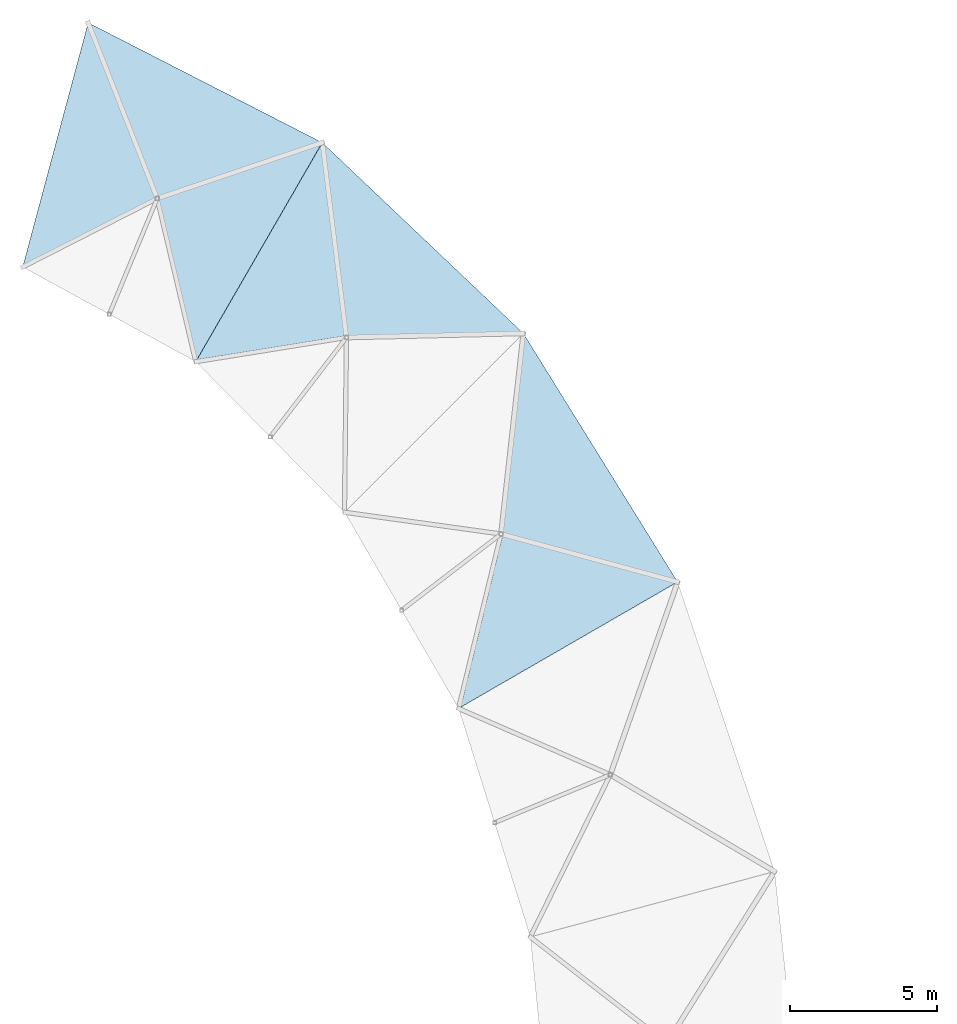
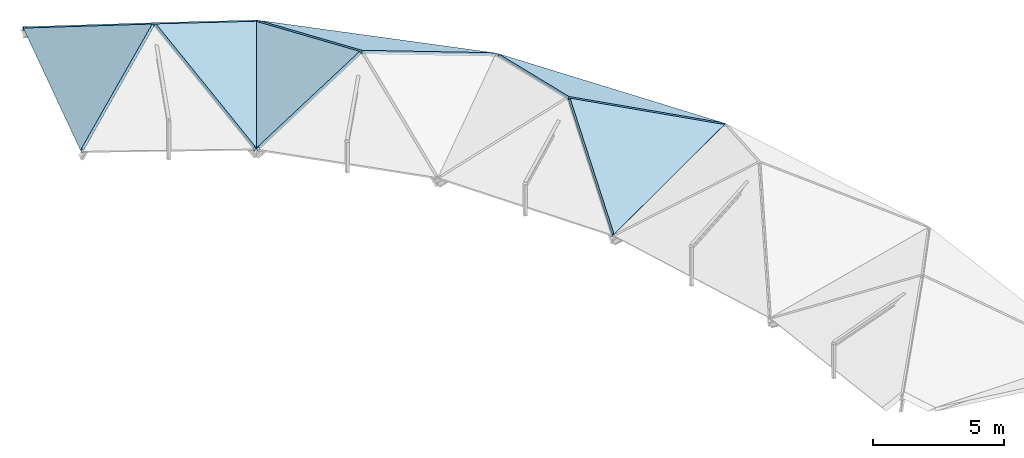
# One storey, part 20 of 28: 7 slabs.
"""IFC4 building model written with IfcOpenShell, lengths in metres."""

import ifcopenshell
import ifcopenshell.guid

model = None  # the IFC model being written
_history = None  # IfcOwnerHistory: only IFC2X3 demands one
_inside = {}  # id of a spatial element -> (the spatial element, [elements in it])
_under = {}  # id of a project, library or spatial element -> (it, [spatial elements below it])
_declared = {}  # id of a project -> (the project, [libraries it declares])
_typed = {}  # id of a type object -> (the type object, [elements of that type])
_made_of = {}  # id of a material, layer set ... -> (it, [elements and type objects made of it])


def new_model(schema):
    """Start an empty IFC model of exactly this schema.

    Asked for "IFC4X3", IfcOpenShell would pick the latest addendum, in which some entities
    have other attributes; the version numbers below select the first issue.
    IFC2X3 requires an IfcOwnerHistory on every rooted entity: one is made here for all.
    """
    global model, _history
    if schema == "IFC4X3":
        model = ifcopenshell.file(schema_version=(4, 3, 0, 0))
    else:
        model = ifcopenshell.file(schema=schema)
    _inside.clear()
    _under.clear()
    _declared.clear()
    _typed.clear()
    _made_of.clear()
    _history = None
    if model.schema == "IFC2X3":
        org = make("IfcOrganization", Name="unknown")
        user = make(
            "IfcPersonAndOrganization",
            ThePerson=make("IfcPerson", FamilyName="unknown"),
            TheOrganization=org,
        )
        app = make(
            "IfcApplication",
            ApplicationDeveloper=org,
            Version="unknown",
            ApplicationFullName="unknown",
            ApplicationIdentifier="unknown",
        )
        _history = make(
            "IfcOwnerHistory",
            OwningUser=user,
            OwningApplication=app,
            ChangeAction="ADDED",
            CreationDate=0,
        )
    return model


def make(cls, **values):
    """One entity of the class cls with the attributes given. An attribute that is None is left unset."""
    return model.create_entity(
        cls, **{name: value for name, value in values.items() if value is not None}
    )


def rooted(cls, **values):
    """An entity with a GlobalId (a new one), such as an element, a storey or a relation."""
    return make(cls, GlobalId=ifcopenshell.guid.new(), OwnerHistory=_history, **values)


def si_unit(unit_type, name, prefix=None):
    """IfcSIUnit, for example si_unit("LENGTHUNIT", "METRE", prefix="MILLI")."""
    return make("IfcSIUnit", UnitType=unit_type, Prefix=prefix, Name=name)


def assignment(units):
    """IfcUnitAssignment: the units of a project."""
    return None if units is None else make("IfcUnitAssignment", Units=units)


def point(xyz):
    """IfcCartesianPoint."""
    return None if xyz is None else make("IfcCartesianPoint", Coordinates=xyz)


def direction(xyz):
    """IfcDirection."""
    return None if xyz is None else make("IfcDirection", DirectionRatios=xyz)


def frame(location, z_axis=None, x_axis=None):
    """IfcAxis2Placement3D, a coordinate frame: its origin and axes. An axis left out is left unset."""
    return make(
        "IfcAxis2Placement3D",
        Location=point(location),
        Axis=direction(z_axis),
        RefDirection=direction(x_axis),
    )


def origin():
    """The frame at (0, 0, 0) with its axes left unset."""
    return frame((0.0, 0.0, 0.0))


def place(relative_to, where):
    """IfcLocalPlacement: puts the frame where relative to a parent placement (None: the world)."""
    return make(
        "IfcLocalPlacement", PlacementRelTo=relative_to, RelativePlacement=where
    )


def context(
    kind, dimensions, precision=None, world=None, true_north=None, identifier=None
):
    """IfcGeometricRepresentationContext, for example the 3D "Model" context."""
    return make(
        "IfcGeometricRepresentationContext",
        ContextIdentifier=identifier,
        ContextType=kind,
        CoordinateSpaceDimension=dimensions,
        Precision=precision,
        WorldCoordinateSystem=world,
        TrueNorth=true_north,
    )


def subcontext(parent, identifier, kind, view, scale=None):
    """IfcGeometricRepresentationSubContext, for example "Body" below "Model"."""
    return make(
        "IfcGeometricRepresentationSubContext",
        ContextIdentifier=identifier,
        ContextType=kind,
        ParentContext=parent,
        TargetScale=scale,
        TargetView=view,
    )


def project(units=None, contexts=None):
    """IfcProject with its units and contexts."""
    return rooted(
        "IfcProject",
        Name="project",
        RepresentationContexts=contexts,
        UnitsInContext=assignment(units),
    )


def spatial(cls, under=None, at=None, **own):
    """A site, building, storey or space (cls), placed at a placement, below another one or the project."""
    s = rooted(cls, ObjectPlacement=at, **own)
    if under is not None:
        _under.setdefault(under.id(), (under, []))[1].append(s)
    return s


def polyline(points):
    """IfcPolyline through the points."""
    return make("IfcPolyline", Points=[point(p) for p in points])


def outline(outer, holes=None, kind="AREA"):
    """IfcArbitraryClosedProfileDef: a profile drawn as a closed curve; with holes, ...WithVoids."""
    if holes is None:
        return make("IfcArbitraryClosedProfileDef", ProfileType=kind, OuterCurve=outer)
    return make(
        "IfcArbitraryProfileDefWithVoids",
        ProfileType=kind,
        OuterCurve=outer,
        InnerCurves=holes,
    )


def extrude(swept, where, along, depth):
    """IfcExtrudedAreaSolid: the profile swept, set in the frame where, extruded along a direction by depth."""
    return make(
        "IfcExtrudedAreaSolid",
        SweptArea=swept,
        Position=where,
        ExtrudedDirection=direction(along),
        Depth=depth,
    )


def shape(context_of_items, identifier, shape_type, items):
    """IfcShapeRepresentation: the items that make up one representation, for example the "Body"."""
    return make(
        "IfcShapeRepresentation",
        ContextOfItems=context_of_items,
        RepresentationIdentifier=identifier,
        RepresentationType=shape_type,
        Items=items,
    )


def material(Name=None, Category=None):
    """IfcMaterial."""
    return make("IfcMaterial", Name=Name, Category=Category)


def layer(
    of_material, thickness, ventilated=None, Name=None, Category=None, Priority=None
):
    """IfcMaterialLayer: one layer of a wall or slab, of a material (None: an air gap)."""
    return make(
        "IfcMaterialLayer",
        Material=of_material,
        LayerThickness=thickness,
        IsVentilated=ventilated,
        Name=Name,
        Category=Category,
        Priority=Priority,
    )


def layer_set(layers, Name=None):
    """IfcMaterialLayerSet."""
    return make("IfcMaterialLayerSet", MaterialLayers=layers, LayerSetName=Name)


def made_of(thing, what):
    """Note that an element or type object is made of a material, layer set ...; save() writes the relation."""
    if what is not None:
        _made_of.setdefault(what.id(), (what, []))[1].append(thing)
    return thing


def type_object(cls, material=None, **own):
    """A type object (cls), such as IfcWallType, which elements share."""
    return made_of(rooted(cls, **own), material)


def element(
    cls,
    number,
    at=None,
    inside=None,
    cuts=None,
    type_object=None,
    material=None,
    context=None,
    identifier="Body",
    shape_type=None,
    held_by="IfcProductDefinitionShape",
    body=None,
    shapes=None,
    **own,
):
    """One element of the class cls, such as IfcWall. Its Tag is "e" and its number.

    at: its placement. inside: the storey or other place that contains it. cuts: it is an
    opening in that element (IfcRelVoidsElement). A single representation is given by context,
    identifier, shape_type and body (its items); several are given by shapes. held_by: the class
    of the entity that holds the representations. save() writes the other relations.
    """
    e = rooted(cls, Tag="e%d" % number, ObjectPlacement=at, **own)
    if body is not None:
        shapes = [shape(context, identifier, shape_type, body)]
    if shapes is not None:
        e.Representation = make(held_by, Representations=shapes)
    if inside is not None:
        _inside.setdefault(inside.id(), (inside, []))[1].append(e)
    if cuts is not None:
        rooted(
            "IfcRelVoidsElement", RelatingBuildingElement=cuts, RelatedOpeningElement=e
        )
    if type_object is not None:
        _typed.setdefault(type_object.id(), (type_object, []))[1].append(e)
    return made_of(e, material)


def aggregate(whole, parts):
    """IfcRelAggregates: a whole, such as a stair, and the parts it consists of."""
    return rooted("IfcRelAggregates", RelatingObject=whole, RelatedObjects=parts)


def save(model, path):
    """Write the relations noted so far, then the file.

    IfcRelAggregates (storeys below a building ...), IfcRelContainedInSpatialStructure (elements
    in a storey), IfcRelDefinesByType, IfcRelAssociatesMaterial and IfcRelDeclares: one each for
    every whole, place, type object, material and project.
    """
    for whole, parts in _under.values():
        aggregate(whole, parts)
    for where, things in _inside.values():
        rooted(
            "IfcRelContainedInSpatialStructure",
            RelatedElements=things,
            RelatingStructure=where,
        )
    for kind, things in _typed.values():
        rooted("IfcRelDefinesByType", RelatedObjects=things, RelatingType=kind)
    for what, things in _made_of.values():
        rooted("IfcRelAssociatesMaterial", RelatedObjects=things, RelatingMaterial=what)
    for by, libraries in _declared.values():
        rooted("IfcRelDeclares", RelatingContext=by, RelatedDefinitions=libraries)
    model.write(path)


model = new_model("IFC4")

# Units and contexts
model_context = context("Model", 3, precision=1e-05, world=origin(), true_north=direction((0.0, 1.0)))
body_context = subcontext(model_context, "Body", "Model", "MODEL_VIEW")
ifc_project = project(units=[si_unit("LENGTHUNIT", "METRE"), si_unit("AREAUNIT", "SQUARE_METRE"), si_unit("VOLUMEUNIT", "CUBIC_METRE"), si_unit("PLANEANGLEUNIT", "RADIAN"), si_unit("MASSUNIT", "GRAM", prefix="KILO")], contexts=[model_context])

# Site, building, storey
site_placement = place(None, origin())
site = spatial("IfcSite", under=ifc_project, at=site_placement, CompositionType="ELEMENT")
building_placement = place(site_placement, origin())
building = spatial("IfcBuilding", under=site, at=building_placement, Name="Karori Crest Natural Sciences Institute", CompositionType="ELEMENT")
storey_placement = place(building_placement, frame((0.0, 0.0, 34.300048828125)))
storey = spatial("IfcBuildingStorey", under=building, at=storey_placement, Name="L08", CompositionType="ELEMENT", Elevation=34.300048828125)

# Slabs
ifc_material = material(Name="Double low-E laminated glass", Category="glass")
ifc_layer = layer(ifc_material, 0.139892578125, Name="Double low-E laminated glass")
ifc_layer_set = layer_set([ifc_layer], Name="Double low-E laminated glass")
slab_type = type_object("IfcSlabType", Name="SLT-14", PredefinedType="ROOF", material=ifc_layer_set)
slab_1_placement = place(storey_placement, frame((94.976318359375, 70.30078125, 0.051025390625), z_axis=(0.414115899616, 0.25699877581, 0.873189355706), x_axis=(-0.527322217582, 0.849665392213, 1.0935628e-05)))
element("IfcSlab", 1, at=slab_1_placement, inside=storey, type_object=slab_type, Name="V1-G03A Crystal gable SL-0018", PredefinedType="ROOF", context=body_context, shape_type="SweptSolid", body=[
    extrude(outline(polyline([(0.0, 0.0), (9.941048884355673, 0.0), (9.797683318313418, 0.0456179703503704), (4.5527727806770955, 4.769654980476511), (0.13886266842138548, 0.05785889426464226), (0.0, 0.0)])), origin(), (0.0, 0.0, -1.0), 0.139892578125),
])
slab_2_placement = place(storey_placement, frame((87.531982421875, 66.00244140625, 0.05078125), z_axis=(0.23641236324, -0.409487415699, 0.881152229125), x_axis=(0.866022330852, 0.500005322364, 8.513211e-06)))
element("IfcSlab", 2, at=slab_2_placement, inside=storey, type_object=slab_type, Name="V1-G03D Crystal gable SL-0021", PredefinedType="ROOF", context=body_context, shape_type="SweptSolid", body=[
    extrude(outline(polyline([(0.0, 0.0), (8.596031887835123, -4.440892098500626e-16), (8.459008745752651, 0.06267882339411628), (4.213677357708976, 4.91163731071682), (0.13558831851971492, 0.06541252005395874), (0.0, 0.0)])), origin(), (0.0, 0.0, -1.0), 0.139892578125),
])
slab_3_placement = place(storey_placement, frame((89.731689453125, 78.75, 0.051025390625), z_axis=(0.328597166987, 0.346396713758, 0.878654208745), x_axis=(-0.725472444561, 0.688251212622, -2.2498364e-05)))
element("IfcSlab", 3, at=slab_3_placement, inside=storey, type_object=slab_type, Name="V1-G04A Crystal gable SL-0022", PredefinedType="ROOF", context=body_context, shape_type="SweptSolid", body=[
    extrude(outline(polyline([(0.0, 0.0), (9.416790743456705, -8.881784197001252e-16), (9.274226686264956, 0.04824303409090556), (4.2674101472471975, 4.734457431578446), (0.1371598195080466, 0.06161345890774849), (0.0, 0.0)])), origin(), (0.0, 0.0, -1.0), 0.139892578125),
])
slab_4_placement = place(storey_placement, frame((82.900390625, 85.231201171875, 0.051025390625), z_axis=(-0.430275035688, 0.248449978621, 0.867834086555), x_axis=(-0.500002337018, -0.866024054018, 2.8962104e-05)))
element("IfcSlab", 4, at=slab_4_placement, inside=storey, type_object=slab_type, Name="V1-G04B Crystal gable SL-0023", PredefinedType="ROOF", context=body_context, shape_type="SweptSolid", body=[
    extrude(outline(polyline([(0.0, 0.0), (8.595909813471943, 0.0), (8.466460979925635, 0.07663456345006253), (5.312563973944874, 4.5429387969361406), (0.14430934231360124, 0.043223284376646055), (0.0, 0.0)])), origin(), (0.0, 0.0, -1.0), 0.139892578125),
])
slab_5_placement = place(storey_placement, frame((82.8974609375, 85.2333984375, 0.05126953125), z_axis=(0.262557552617, 0.512624460213, 0.817483757854), x_axis=(-0.890069920542, 0.455824017983, 3.4298938e-05)))
element("IfcSlab", 5, at=slab_5_placement, inside=storey, type_object=slab_type, Name="V1-G05A Crystal gable SL-0026", PredefinedType="ROOF", context=body_context, shape_type="SweptSolid", body=[
    extrude(outline(polyline([(0.0, 0.0), (8.93802583468257, 0.0), (8.799225487172981, 0.058389854441936076), (4.129423918906201, 5.100963802467247), (0.13364683888731022, 0.06908560306793976), (0.0, 0.0)])), origin(), (0.0, 0.0, -1.0), 0.139892578125),
])
slab_6_placement = place(storey_placement, frame((74.94189453125, 89.3076171875, 0.05126953125), z_axis=(-0.596298107084, 0.159774078581, 0.786702492243), x_axis=(-0.258801405404, -0.965930552608, 1.0011235e-05)))
element("IfcSlab", 6, at=slab_6_placement, inside=storey, type_object=slab_type, Name="V1-G05B Crystal gable SL-0027", PredefinedType="ROOF", context=body_context, shape_type="SweptSolid", body=[
    extrude(outline(polyline([(0.0, 0.0), (8.596068481499847, 0.0), (8.466490499815576, 0.07634146412714739), (5.1540991599446375, 4.753531511356254), (0.14260996442972565, 0.04879540765017594), (0.0, 0.0)])), origin(), (0.0, 0.0, -1.0), 0.139892578125),
])
slab_7_placement = place(storey_placement, frame((78.599609375, 77.78857421875, 0.05126953125), z_axis=(0.526591851938, -0.304010319449, 0.793900968094), x_axis=(0.499997809037, 0.866026668561, -1.7291911e-05)))
element("IfcSlab", 7, at=slab_7_placement, inside=storey, type_object=slab_type, Name="V1-G05D Crystal gable SL-0029", PredefinedType="ROOF", context=body_context, shape_type="SweptSolid", body=[
    extrude(outline(polyline([(0.0, 0.0), (8.596031886197297, 0.0), (8.458063617474718, 0.06041247905755004), (4.148062254353722, 4.8273551469214855), (0.1357067004429973, 0.06499075700702653), (0.0, 0.0)])), origin(), (0.0, 0.0, -1.0), 0.139892578125),
])

save(model, "model.ifc")
